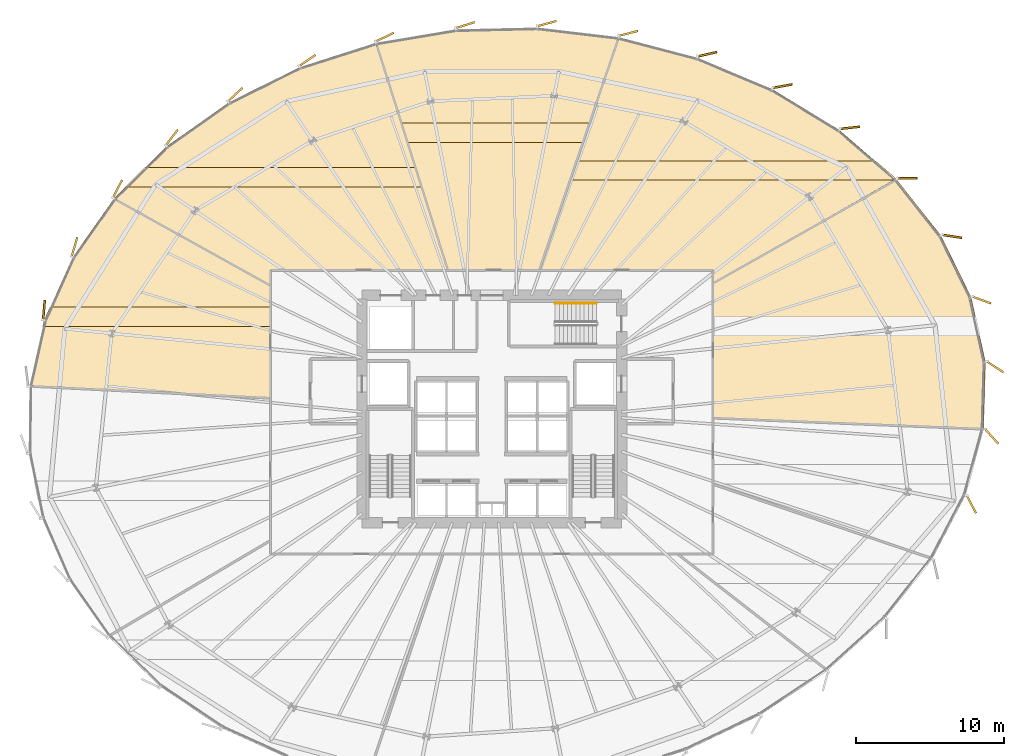
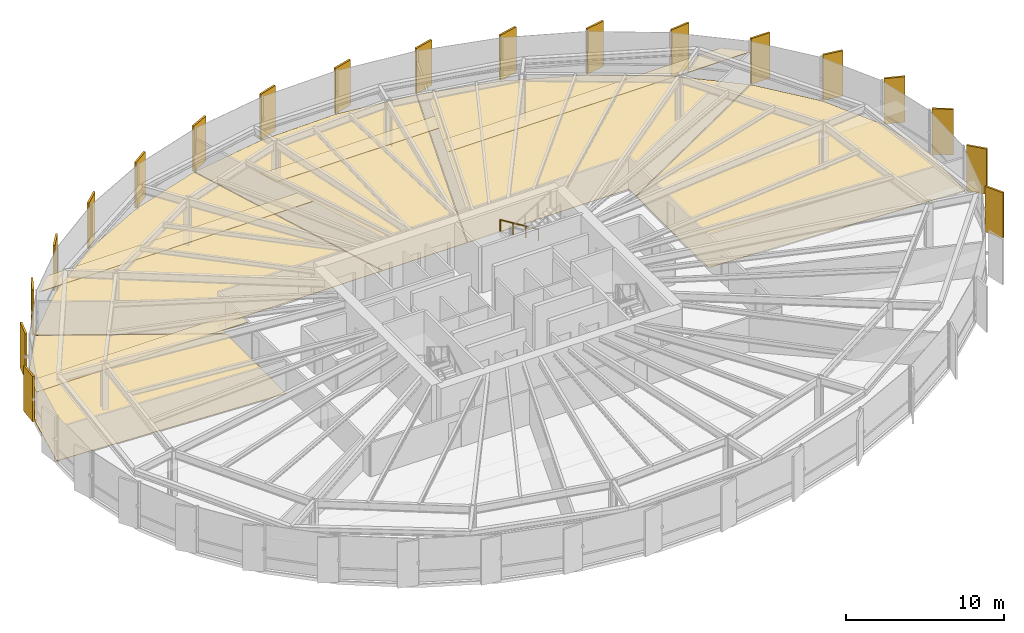
# One storey, part 38 of 38: 28 coverings, 1 railing.
"""IFC4 building model written with IfcOpenShell, lengths in metres."""

import ifcopenshell
import ifcopenshell.guid

model = None  # the IFC model being written
_history = None  # IfcOwnerHistory: only IFC2X3 demands one
_inside = {}  # id of a spatial element -> (the spatial element, [elements in it])
_under = {}  # id of a project, library or spatial element -> (it, [spatial elements below it])
_declared = {}  # id of a project -> (the project, [libraries it declares])
_typed = {}  # id of a type object -> (the type object, [elements of that type])
_made_of = {}  # id of a material, layer set ... -> (it, [elements and type objects made of it])


def new_model(schema):
    """Start an empty IFC model of exactly this schema.

    Asked for "IFC4X3", IfcOpenShell would pick the latest addendum, in which some entities
    have other attributes; the version numbers below select the first issue.
    IFC2X3 requires an IfcOwnerHistory on every rooted entity: one is made here for all.
    """
    global model, _history
    if schema == "IFC4X3":
        model = ifcopenshell.file(schema_version=(4, 3, 0, 0))
    else:
        model = ifcopenshell.file(schema=schema)
    _inside.clear()
    _under.clear()
    _declared.clear()
    _typed.clear()
    _made_of.clear()
    _history = None
    if model.schema == "IFC2X3":
        org = make("IfcOrganization", Name="unknown")
        user = make(
            "IfcPersonAndOrganization",
            ThePerson=make("IfcPerson", FamilyName="unknown"),
            TheOrganization=org,
        )
        app = make(
            "IfcApplication",
            ApplicationDeveloper=org,
            Version="unknown",
            ApplicationFullName="unknown",
            ApplicationIdentifier="unknown",
        )
        _history = make(
            "IfcOwnerHistory",
            OwningUser=user,
            OwningApplication=app,
            ChangeAction="ADDED",
            CreationDate=0,
        )
    return model


def make(cls, **values):
    """One entity of the class cls with the attributes given. An attribute that is None is left unset."""
    return model.create_entity(
        cls, **{name: value for name, value in values.items() if value is not None}
    )


def rooted(cls, **values):
    """An entity with a GlobalId (a new one), such as an element, a storey or a relation."""
    return make(cls, GlobalId=ifcopenshell.guid.new(), OwnerHistory=_history, **values)


def si_unit(unit_type, name, prefix=None):
    """IfcSIUnit, for example si_unit("LENGTHUNIT", "METRE", prefix="MILLI")."""
    return make("IfcSIUnit", UnitType=unit_type, Prefix=prefix, Name=name)


def assignment(units):
    """IfcUnitAssignment: the units of a project."""
    return None if units is None else make("IfcUnitAssignment", Units=units)


def point(xyz):
    """IfcCartesianPoint."""
    return None if xyz is None else make("IfcCartesianPoint", Coordinates=xyz)


def direction(xyz):
    """IfcDirection."""
    return None if xyz is None else make("IfcDirection", DirectionRatios=xyz)


def frame(location, z_axis=None, x_axis=None):
    """IfcAxis2Placement3D, a coordinate frame: its origin and axes. An axis left out is left unset."""
    return make(
        "IfcAxis2Placement3D",
        Location=point(location),
        Axis=direction(z_axis),
        RefDirection=direction(x_axis),
    )


def frame_2d(location, x_axis=None):
    """IfcAxis2Placement2D, a coordinate frame in the plane: its origin and x axis."""
    return make(
        "IfcAxis2Placement2D", Location=point(location), RefDirection=direction(x_axis)
    )


def origin():
    """The frame at (0, 0, 0) with its axes left unset."""
    return frame((0.0, 0.0, 0.0))


def origin_2d():
    """The frame at (0, 0) in the plane with its x axis left unset."""
    return frame_2d((0.0, 0.0))


def place(relative_to, where):
    """IfcLocalPlacement: puts the frame where relative to a parent placement (None: the world)."""
    return make(
        "IfcLocalPlacement", PlacementRelTo=relative_to, RelativePlacement=where
    )


def context(
    kind, dimensions, precision=None, world=None, true_north=None, identifier=None
):
    """IfcGeometricRepresentationContext, for example the 3D "Model" context."""
    return make(
        "IfcGeometricRepresentationContext",
        ContextIdentifier=identifier,
        ContextType=kind,
        CoordinateSpaceDimension=dimensions,
        Precision=precision,
        WorldCoordinateSystem=world,
        TrueNorth=true_north,
    )


def subcontext(parent, identifier, kind, view, scale=None):
    """IfcGeometricRepresentationSubContext, for example "Body" below "Model"."""
    return make(
        "IfcGeometricRepresentationSubContext",
        ContextIdentifier=identifier,
        ContextType=kind,
        ParentContext=parent,
        TargetScale=scale,
        TargetView=view,
    )


def project(units=None, contexts=None):
    """IfcProject with its units and contexts."""
    return rooted(
        "IfcProject",
        Name="project",
        RepresentationContexts=contexts,
        UnitsInContext=assignment(units),
    )


def spatial(cls, under=None, at=None, **own):
    """A site, building, storey or space (cls), placed at a placement, below another one or the project."""
    s = rooted(cls, ObjectPlacement=at, **own)
    if under is not None:
        _under.setdefault(under.id(), (under, []))[1].append(s)
    return s


def polyline(points):
    """IfcPolyline through the points."""
    return make("IfcPolyline", Points=[point(p) for p in points])


def profile(cls, at=None, kind="AREA", **sizes):
    """A parametric profile (cls). Its sizes go by their IFC names, for example OverallWidth=200.0."""
    return make(cls, ProfileType=kind, Position=at, **sizes)


def rectangle(**sizes):
    """IfcRectangleProfileDef."""
    return profile("IfcRectangleProfileDef", **sizes)


def circle(**sizes):
    """IfcCircleProfileDef."""
    return profile("IfcCircleProfileDef", **sizes)


def outline(outer, holes=None, kind="AREA"):
    """IfcArbitraryClosedProfileDef: a profile drawn as a closed curve; with holes, ...WithVoids."""
    if holes is None:
        return make("IfcArbitraryClosedProfileDef", ProfileType=kind, OuterCurve=outer)
    return make(
        "IfcArbitraryProfileDefWithVoids",
        ProfileType=kind,
        OuterCurve=outer,
        InnerCurves=holes,
    )


def extrude(swept, where, along, depth):
    """IfcExtrudedAreaSolid: the profile swept, set in the frame where, extruded along a direction by depth."""
    return make(
        "IfcExtrudedAreaSolid",
        SweptArea=swept,
        Position=where,
        ExtrudedDirection=direction(along),
        Depth=depth,
    )


def shape(context_of_items, identifier, shape_type, items):
    """IfcShapeRepresentation: the items that make up one representation, for example the "Body"."""
    return make(
        "IfcShapeRepresentation",
        ContextOfItems=context_of_items,
        RepresentationIdentifier=identifier,
        RepresentationType=shape_type,
        Items=items,
    )


def source(mapping_origin, context_of_items, identifier, shape_type, items):
    """IfcRepresentationMap: a shape defined once, which mapped items show again and again."""
    return make(
        "IfcRepresentationMap",
        MappingOrigin=mapping_origin,
        MappedRepresentation=shape(context_of_items, identifier, shape_type, items),
    )


def transform(
    local_origin,
    x_axis=None,
    y_axis=None,
    z_axis=None,
    scale=None,
    scale2=None,
    scale3=None,
    uniform=True,
):
    """IfcCartesianTransformationOperator3D, or its non-uniform kind. x_axis, y_axis, z_axis: its Axis1, 2, 3."""
    if uniform:
        return make(
            "IfcCartesianTransformationOperator3D",
            Axis1=direction(x_axis),
            Axis2=direction(y_axis),
            LocalOrigin=point(local_origin),
            Scale=scale,
            Axis3=direction(z_axis),
        )
    return make(
        "IfcCartesianTransformationOperator3DnonUniform",
        Axis1=direction(x_axis),
        Axis2=direction(y_axis),
        LocalOrigin=point(local_origin),
        Scale=scale,
        Axis3=direction(z_axis),
        Scale2=scale2,
        Scale3=scale3,
    )


def mapped(mapping_source, mapping_target):
    """IfcMappedItem: shows the shape of a source again, moved by a transform."""
    return make(
        "IfcMappedItem", MappingSource=mapping_source, MappingTarget=mapping_target
    )


def material(Name=None, Category=None):
    """IfcMaterial."""
    return make("IfcMaterial", Name=Name, Category=Category)


def layer(
    of_material, thickness, ventilated=None, Name=None, Category=None, Priority=None
):
    """IfcMaterialLayer: one layer of a wall or slab, of a material (None: an air gap)."""
    return make(
        "IfcMaterialLayer",
        Material=of_material,
        LayerThickness=thickness,
        IsVentilated=ventilated,
        Name=Name,
        Category=Category,
        Priority=Priority,
    )


def layer_set(layers, Name=None):
    """IfcMaterialLayerSet."""
    return make("IfcMaterialLayerSet", MaterialLayers=layers, LayerSetName=Name)


def made_of(thing, what):
    """Note that an element or type object is made of a material, layer set ...; save() writes the relation."""
    if what is not None:
        _made_of.setdefault(what.id(), (what, []))[1].append(thing)
    return thing


def type_object(cls, material=None, **own):
    """A type object (cls), such as IfcWallType, which elements share."""
    return made_of(rooted(cls, **own), material)


def element(
    cls,
    number,
    at=None,
    inside=None,
    cuts=None,
    type_object=None,
    material=None,
    context=None,
    identifier="Body",
    shape_type=None,
    held_by="IfcProductDefinitionShape",
    body=None,
    shapes=None,
    **own,
):
    """One element of the class cls, such as IfcWall. Its Tag is "e" and its number.

    at: its placement. inside: the storey or other place that contains it. cuts: it is an
    opening in that element (IfcRelVoidsElement). A single representation is given by context,
    identifier, shape_type and body (its items); several are given by shapes. held_by: the class
    of the entity that holds the representations. save() writes the other relations.
    """
    e = rooted(cls, Tag="e%d" % number, ObjectPlacement=at, **own)
    if body is not None:
        shapes = [shape(context, identifier, shape_type, body)]
    if shapes is not None:
        e.Representation = make(held_by, Representations=shapes)
    if inside is not None:
        _inside.setdefault(inside.id(), (inside, []))[1].append(e)
    if cuts is not None:
        rooted(
            "IfcRelVoidsElement", RelatingBuildingElement=cuts, RelatedOpeningElement=e
        )
    if type_object is not None:
        _typed.setdefault(type_object.id(), (type_object, []))[1].append(e)
    return made_of(e, material)


def aggregate(whole, parts):
    """IfcRelAggregates: a whole, such as a stair, and the parts it consists of."""
    return rooted("IfcRelAggregates", RelatingObject=whole, RelatedObjects=parts)


def save(model, path):
    """Write the relations noted so far, then the file.

    IfcRelAggregates (storeys below a building ...), IfcRelContainedInSpatialStructure (elements
    in a storey), IfcRelDefinesByType, IfcRelAssociatesMaterial and IfcRelDeclares: one each for
    every whole, place, type object, material and project.
    """
    for whole, parts in _under.values():
        aggregate(whole, parts)
    for where, things in _inside.values():
        rooted(
            "IfcRelContainedInSpatialStructure",
            RelatedElements=things,
            RelatingStructure=where,
        )
    for kind, things in _typed.values():
        rooted("IfcRelDefinesByType", RelatedObjects=things, RelatingType=kind)
    for what, things in _made_of.values():
        rooted("IfcRelAssociatesMaterial", RelatedObjects=things, RelatingMaterial=what)
    for by, libraries in _declared.values():
        rooted("IfcRelDeclares", RelatingContext=by, RelatedDefinitions=libraries)
    model.write(path)


model = new_model("IFC4")

# Units and contexts
model_context = context("Model", 3, precision=1e-05, world=origin(), true_north=direction((0.0, 1.0)))
body_context = subcontext(model_context, "Body", "Model", "MODEL_VIEW")
ifc_project = project(units=[si_unit("LENGTHUNIT", "METRE"), si_unit("AREAUNIT", "SQUARE_METRE"), si_unit("VOLUMEUNIT", "CUBIC_METRE"), si_unit("PLANEANGLEUNIT", "RADIAN"), si_unit("MASSUNIT", "GRAM", prefix="KILO"), si_unit("THERMODYNAMICTEMPERATUREUNIT", "KELVIN")], contexts=[model_context])

# Site, building, storey
site_placement = place(None, origin())
site = spatial("IfcSite", under=ifc_project, at=site_placement, CompositionType="ELEMENT")
building_placement = place(site_placement, origin())
building = spatial("IfcBuilding", under=site, at=building_placement, Name="Kethvar Cultural Tower", CompositionType="ELEMENT")
storey_placement = place(building_placement, frame((0.0, 0.0, 52.39990234375)))
storey = spatial("IfcBuildingStorey", under=building, at=storey_placement, Name="L12", CompositionType="ELEMENT", Elevation=52.39990234375)

# Coverings
ifc_material_1 = material(Name="Acoustic Mineral Fibre Ceiling")
ifc_layer_1 = layer(ifc_material_1, 0.0400390625, Name="Acoustic Mineral Fibre Ceiling")
ifc_layer_set_1 = layer_set([ifc_layer_1], Name="Acoustic Mineral Fibre Ceiling (40 mm)")
covering_type_1 = type_object("IfcCoveringType", Name="CV-ACOUSTIC-CEIL", PredefinedType="CEILING", material=ifc_layer_set_1)
covering_1_placement = place(storey_placement, frame((0.0, 0.0, 2.56005859375)))
element("IfcCovering", 1, at=covering_1_placement, inside=storey, type_object=covering_type_1, Name="L12 Room 06 Acoustic Ceiling Panel", PredefinedType="CEILING", context=body_context, shape_type="SweptSolid", body=[
    extrude(outline(polyline([(74.240478515625, 43.38916015625), (74.15380859375, 43.30908203125), (52.065673828125, 43.30908203125), (52.51220703125, 44.619140625), (72.8154296875, 44.619140625), (74.240478515625, 43.38916015625)])), origin(), (0.0, 0.0, 1.0), 0.0400390625),
])
covering_2_placement = place(storey_placement, frame((0.0, 0.0, 2.56005859375)))
element("IfcCovering", 2, at=covering_2_placement, inside=storey, type_object=covering_type_1, Name="L12 Room 07 Acoustic Ceiling Panel", PredefinedType="CEILING", context=body_context, shape_type="SweptSolid", body=[
    extrude(outline(polyline([(52.9765625, 45.857177734375), (41.072021484375, 45.857177734375), (40.658203125, 47.167236328125), (53.423095703125, 47.167236328125), (52.9765625, 45.857177734375)])), origin(), (0.0, 0.0, 1.0), 0.0400390625),
])
covering_3_placement = place(storey_placement, frame((0.0, 0.0, 2.56005859375)))
element("IfcCovering", 3, at=covering_3_placement, inside=storey, type_object=covering_type_1, Name="L12 Room 08 Acoustic Ceiling Panel", PredefinedType="CEILING", context=body_context, shape_type="SweptSolid", body=[
    extrude(outline(polyline([(42.0634765625, 42.853515625), (21.955078125, 42.853515625), (23.27685546875, 44.16357421875), (41.6494140625, 44.16357421875), (42.0634765625, 42.853515625)])), origin(), (0.0, 0.0, 1.0), 0.0400390625),
])
covering_4_placement = place(storey_placement, frame((0.0, 0.0, 2.56005859375)))
element("IfcCovering", 4, at=covering_4_placement, inside=storey, type_object=covering_type_1, Name="L12 Room 09 Acoustic Ceiling Panel", PredefinedType="CEILING", context=body_context, shape_type="SweptSolid", body=[
    extrude(outline(polyline([(16.4521484375, 33.819091796875), (16.848388671875, 34.699462890625), (31.830078125, 34.699462890625), (31.830078125, 33.389404296875), (16.355224609375, 33.389404296875), (16.4521484375, 33.819091796875)])), origin(), (0.0, 0.0, 1.0), 0.0400390625),
])
ifc_material_2 = material(Name="Architectural Oak Timber", Category="wood")
ifc_layer_2 = layer(ifc_material_2, 0.02490234375, Name="Architectural Oak Timber", Category="wood")
ifc_layer_set_2 = layer_set([ifc_layer_2], Name="Architectural Oak Timber (25 mm)")
covering_type_2 = type_object("IfcCoveringType", Name="CV-OAK-FLOOR", PredefinedType="FLOORING", material=ifc_layer_set_2)
covering_5_placement = place(storey_placement, origin())
element("IfcCovering", 5, at=covering_5_placement, inside=storey, type_object=covering_type_2, Name="L12 Room 05 Floor Finish", PredefinedType="FLOORING", context=body_context, shape_type="SweptSolid", body=[
    extrude(outline(polyline([(77.237548828125, 39.5478515625), (79.28369140625, 35.3740234375), (80.260498046875, 30.962890625), (80.128173828125, 26.464599609375), (61.81005859375, 27.209716796875), (61.81005859375, 36.300048828125), (74.222412109375, 43.34814453125), (77.237548828125, 39.5478515625)])), origin(), (0.0, 0.0, 1.0), 0.025146484375),
])
covering_6_placement = place(storey_placement, origin())
element("IfcCovering", 6, at=covering_6_placement, inside=storey, type_object=covering_type_2, Name="L12 Room 06 Floor Finish", PredefinedType="FLOORING", context=body_context, shape_type="SweptSolid", body=[
    extrude(outline(polyline([(60.751708984375, 51.584716796875), (65.797119140625, 49.46728515625), (70.344482421875, 46.698974609375), (74.19287109375, 43.37744140625), (61.81005859375, 36.34619140625), (61.7919921875, 37.219970703125), (50.0322265625, 37.219970703125), (55.40625, 52.985107421875), (60.751708984375, 51.584716796875)])), origin(), (0.0, 0.0, 1.0), 0.025146484375),
])
covering_7_placement = place(storey_placement, origin())
element("IfcCovering", 7, at=covering_7_placement, inside=storey, type_object=covering_type_2, Name="L12 Room 07 Floor Finish", PredefinedType="FLOORING", context=body_context, shape_type="SweptSolid", body=[
    extrude(outline(polyline([(44.369384765625, 53.5126953125), (49.880615234375, 53.639404296875), (55.366455078125, 52.9921875), (49.989990234375, 37.219970703125), (43.843994140625, 37.219970703125), (38.979736328125, 52.610595703125), (44.369384765625, 53.5126953125)])), origin(), (0.0, 0.0, 1.0), 0.025146484375),
])
covering_8_placement = place(storey_placement, origin())
element("IfcCovering", 8, at=covering_8_placement, inside=storey, type_object=covering_type_2, Name="L12 Room 08 Floor Finish", PredefinedType="FLOORING", context=body_context, shape_type="SweptSolid", body=[
    extrude(outline(polyline([(24.7724609375, 45.589599609375), (29.0087890625, 48.584228515625), (33.785888671875, 50.947265625), (38.940673828125, 52.601318359375), (43.802001953125, 37.219970703125), (31.80810546875, 37.219970703125), (31.7900390625, 36.185302734375), (21.223388671875, 42.072021484375), (24.7724609375, 45.589599609375)])), origin(), (0.0, 0.0, 1.0), 0.025146484375),
])
covering_9_placement = place(storey_placement, origin())
element("IfcCovering", 9, at=covering_9_placement, inside=storey, type_object=covering_type_2, Name="L12 Room 09 Floor Finish", PredefinedType="FLOORING", context=body_context, shape_type="SweptSolid", body=[
    extrude(outline(polyline([(16.490234375, 33.806396484375), (18.416748046875, 38.086669921875), (21.1962890625, 42.04150390625), (31.7900390625, 36.139404296875), (31.7900390625, 28.560791015625), (15.4892578125, 29.364990234375), (16.490234375, 33.806396484375)])), origin(), (0.0, 0.0, 1.0), 0.025146484375),
])

# Railing
ifc_material_3 = material(Name="Steel S355J2", Category="steel")
railing_type = type_object("IfcRailingType", Name="RL-STAIR-HANDRAIL", PredefinedType="HANDRAIL", material=ifc_material_3)
railing_placement = place(storey_placement, frame((53.89990234375, 34.9599609375, 0.1728515625)))
element("IfcRailing", 10, at=railing_placement, inside=storey, type_object=railing_type, Name="L12 ST-03 stair handrail 1", PredefinedType="HANDRAIL", context=body_context, shape_type="SweptSolid", body=[
    extrude(circle(Radius=0.02392578125, at=origin_2d()), frame((0.0, 0.0, 0.8759765625), z_axis=(-0.851069175582, 0.0, 0.525053576669), x_axis=(0.0, -1.0, 0.0)), (0.0, 0.0, 1.0), 3.289794921875),
    extrude(circle(Radius=0.02099609375, at=origin_2d()), origin(), (0.0, 0.0, 1.0), 0.851806640625),
    extrude(circle(Radius=0.02099609375, at=origin_2d()), frame((-0.933349609375, 0.0, 0.57568359375)), (0.0, 0.0, 1.0), 0.851806640625),
    extrude(circle(Radius=0.02099609375, at=origin_2d()), frame((-1.866455078125, 0.0, 1.151611328125)), (0.0, 0.0, 1.0), 0.851806640625),
    extrude(circle(Radius=0.02099609375, at=origin_2d()), frame((-2.7998046875, 0.0, 1.727294921875)), (0.0, 0.0, 1.0), 0.851806640625),
])

# Coverings
ifc_material_4 = material(Name="Extruded Architectural Terracotta", Category="masonry")
ifc_layer_3 = layer(ifc_material_4, 0.135009765625, Name="Extruded Architectural Terracotta", Category="masonry")
ifc_layer_set_3 = layer_set([ifc_layer_3], Name="Extruded Architectural Terracotta (135 mm)")
covering_type_3 = type_object("IfcCoveringType", Name="Terracotta Facade Fin FIN-01", PredefinedType="CLADDING", material=ifc_layer_set_3)
shared_shape = source(origin(), body_context, "Body", "SweptSolid", [
    extrude(rectangle(XDim=1.35009765625, YDim=0.135009765625, at=origin_2d()), origin(), (0.0, 0.0, 1.0), 3.510009765625),
])
for number, where, z_axis, x_axis, name in (
    (11, (80.9140625, 30.653076171875, 0.02001953125), (0.0, 0.0, 1.0), (0.83619044789, -0.548439180637, 0.0), "L12 Vertical Terracotta Fin 1.1"),
    (12, (80.0087890625, 35.18505859375, 0.02001953125), (0.0, 0.0, 1.0), (0.939632912698, -0.342184145417, 0.0), "L12 Vertical Terracotta Fin 1.2"),
    (13, (77.984130859375, 39.504150390625, 0.02001953125), (0.0, 0.0, 1.0), (0.988067633226, -0.154020622552, 0.0), "L12 Vertical Terracotta Fin 1.3"),
    (14, (74.95458984375, 43.4326171875, 0.02001953125), (0.0, 0.0, 1.0), (0.9999961009, -0.002792523174, 0.0), "L12 Vertical Terracotta Fin 1.4"),
    (15, (71.069091796875, 46.856201171875, 0.02001953125), (0.0, 0.0, 1.0), (0.994207376024, 0.107478804698, 0.0), "L12 Vertical Terracotta Fin 1.5"),
    (16, (66.501220703125, 49.6806640625, 0.02001953125), (0.0, 0.0, 1.0), (0.983602962367, 0.180347476896, 0.0), "L12 Vertical Terracotta Fin 1.6"),
    (17, (61.3955078125, 51.842041015625, 0.02001953125), (0.0, 0.0, 1.0), (0.974877954055, 0.222739701664, 0.0), "L12 Vertical Terracotta Fin 2.1"),
    (18, (56.056640625, 53.255615234375, 0.02001953125), (0.0, 0.0, 1.0), (0.968929453452, 0.247337247968, 0.0), "L12 Vertical Terracotta Fin 2.2"),
    (19, (50.530517578125, 53.918701171875, 0.02001953125), (0.0, 0.0, 1.0), (0.964095404234, 0.265556117487, 0.0), "L12 Vertical Terracotta Fin 2.3"),
    (20, (44.998046875, 53.814697265625, 0.02001953125), (0.0, 0.0, 1.0), (0.95366445316, 0.300872249933, 0.0), "L12 Vertical Terracotta Fin 2.4"),
    (21, (39.537109375, 52.996337890625, 0.02001953125), (0.0, 0.0, 1.0), (0.900394719846, 0.435073957475, 0.0), "L12 Vertical Terracotta Fin 2.5"),
    (22, (34.30029296875, 51.418212890625, 0.02001953125), (0.0, 0.0, 1.0), (0.825901536471, 0.563814377303, 0.0), "L12 Vertical Terracotta Fin 2.6"),
    (23, (29.409423828125, 49.10498046875, 0.02001953125), (0.0, 0.0, 1.0), (0.728251371798, 0.685310104606, 0.0), "L12 Vertical Terracotta Fin 3.1"),
    (24, (25.112060546875, 46.19921875, 0.02001953125), (0.0, 0.0, 1.0), (0.605432907381, 0.795896346681, 0.0), "L12 Vertical Terracotta Fin 3.2"),
    (25, (21.4326171875, 42.714599609375, 0.02001953125), (0.0, 0.0, 1.0), (0.455544907234, 0.890212804611, 0.0), "L12 Vertical Terracotta Fin 3.3"),
    (26, (18.514892578125, 38.777587890625, 0.02001953125), (0.0, 0.0, 1.0), (0.279493876371, 0.960147474647, 0.0), "L12 Vertical Terracotta Fin 3.4"),
    (27, (16.448486328125, 34.503173828125, 0.02001953125), (0.0, 0.0, 1.0), (0.08193850863, 0.996637386818, 0.0), "L12 Vertical Terracotta Fin 3.5"),
    (28, (79.305908203125, 21.3359375, 0.02001953125), (0.0, 0.0, 1.0), (0.459889850721, -0.887975971074, 0.0), "L12 Vertical Terracotta Fin 6.5"),
    (29, (80.680908203125, 25.94140625, 0.02001953125), (0.0, 0.0, 1.0), (0.6715912843, -0.740921822362, 0.0), "L12 Vertical Terracotta Fin 6.6"),
):
    element("IfcCovering", number, at=place(storey_placement, frame(where, z_axis=z_axis, x_axis=x_axis)), inside=storey, type_object=covering_type_3, Name=name, PredefinedType="CLADDING", context=body_context, shape_type="MappedRepresentation", body=[
        mapped(shared_shape, transform((0.0, 0.0, 0.0), scale=1.0)),
    ])

save(model, "model.ifc")
